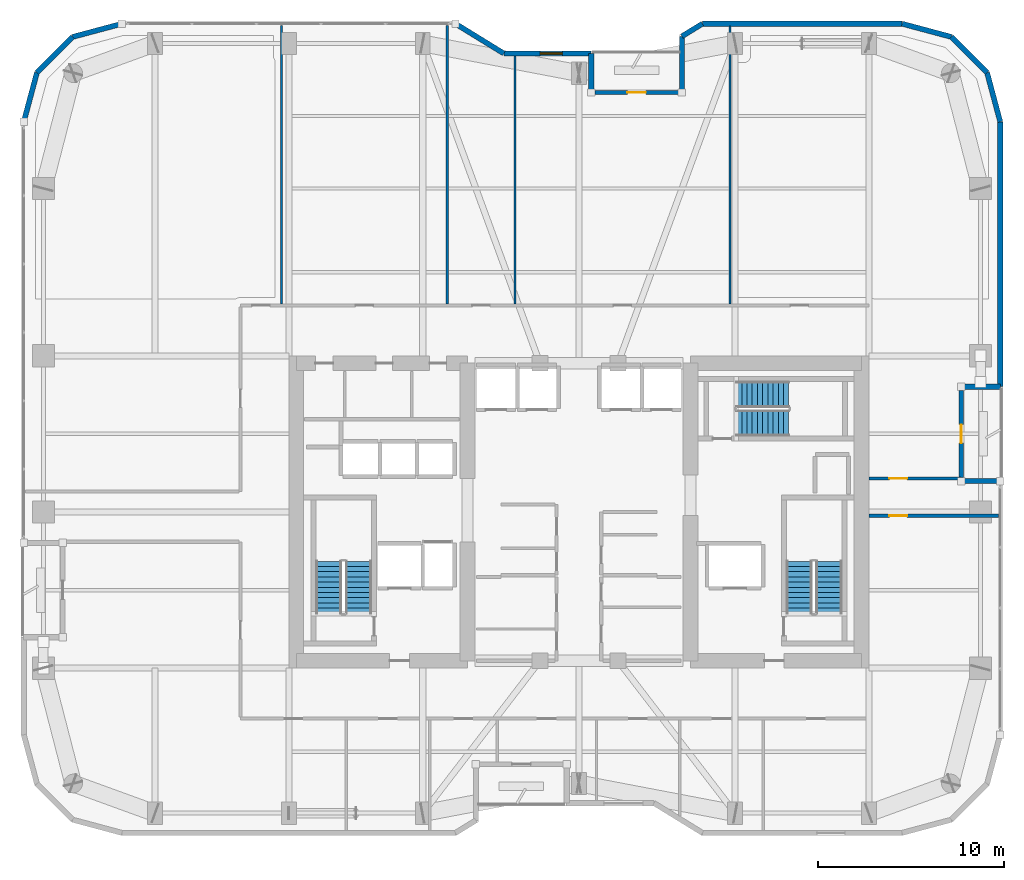
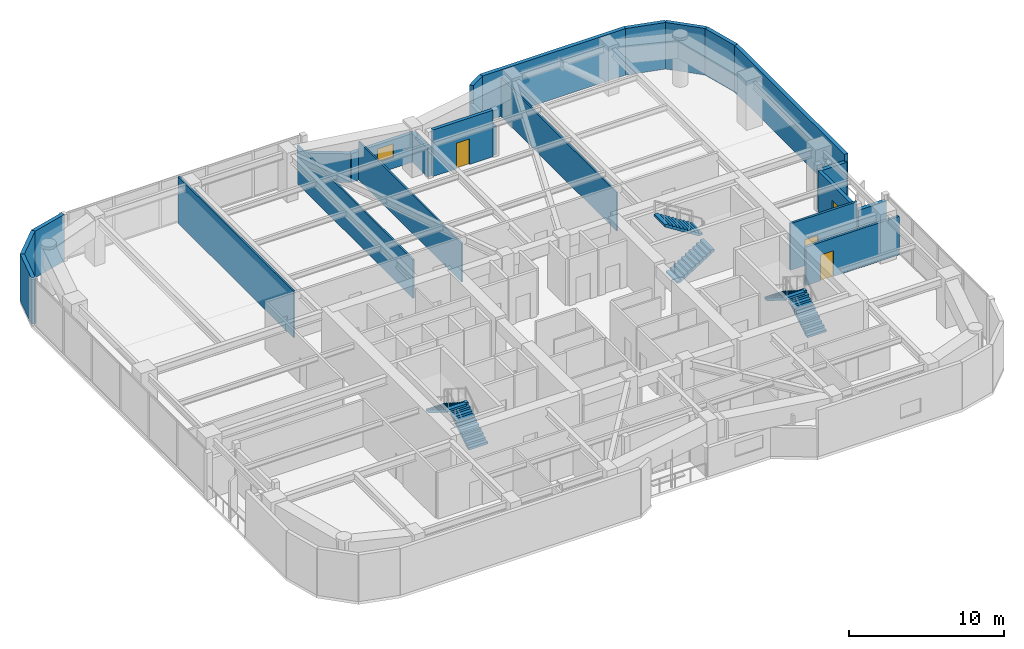
# One storey, part 27 of 30: 23 walls, 6 stair flights, 4 doors, 1 window, 5 openings, 3 elements without a shape of their own.
"""IFC4 building model written with IfcOpenShell, lengths in metres."""

from ifc_helpers import new_model, si_unit, direction, frame, frame_2d, origin, place, context, subcontext, project, spatial, polyline, rectangle, outline, extrude, material, layer, layer_set, type_object, element, fill, aggregate, save


model = new_model("IFC4")

# Units and contexts
model_context = context("Model", 3, precision=1e-05, world=origin(), true_north=direction((0.0, 1.0)))
body_context = subcontext(model_context, "Body", "Model", "MODEL_VIEW")
ifc_project = project(units=[si_unit("LENGTHUNIT", "METRE"), si_unit("AREAUNIT", "SQUARE_METRE"), si_unit("VOLUMEUNIT", "CUBIC_METRE"), si_unit("PLANEANGLEUNIT", "RADIAN"), si_unit("MASSUNIT", "GRAM", prefix="KILO")], contexts=[model_context])

# Site, building, storey
site_placement = place(None, origin())
site = spatial("IfcSite", under=ifc_project, at=site_placement, CompositionType="ELEMENT")
building_placement = place(site_placement, origin())
building = spatial("IfcBuilding", under=site, at=building_placement, Name="Kiyonajd Concourse Tower", CompositionType="ELEMENT")
storey_placement = place(building_placement, frame((0.0, 0.0, 162.300048828125)))
storey = spatial("IfcBuildingStorey", under=building, at=storey_placement, Name="L41", CompositionType="ELEMENT", Elevation=162.300048828125)

# Walls
ifc_material_1 = material(Name="Precast concrete C50/60", Category="concrete")
ifc_layer_1 = layer(ifc_material_1, 0.280029296875)
ifc_layer_set_1 = layer_set([ifc_layer_1], Name="Precast concrete C50/60")
wall_type_1 = type_object("IfcWallType", Name="WL-EXT-280", PredefinedType="SOLIDWALL", material=ifc_layer_set_1)
wall_1_placement = place(storey_placement, frame((18.139892578125, 56.981689453125, 0.0), z_axis=(0.0, 0.0, 1.0), x_axis=(0.258672222976, 0.9659651552, 0.0)))
element("IfcWall", 1, at=wall_1_placement, inside=storey, type_object=wall_type_1, Name="L41 Exterior Concrete Frame Wall 06", PredefinedType="SOLIDWALL", context=body_context, shape_type="SweptSolid", body=[
    extrude(rectangle(XDim=2.739013671875, YDim=0.280029296875, at=frame_2d((1.36962890625, 0.0))), origin(), (0.0, 0.0, 1.0), 3.679931640625),
])
wall_2_placement = place(storey_placement, frame((18.848388671875, 59.62744140625, 0.0), z_axis=(0.0, 0.0, 1.0), x_axis=(0.707106781187, 0.707106781187, 0.0)))
element("IfcWall", 2, at=wall_2_placement, inside=storey, type_object=wall_type_1, Name="L41 Exterior Concrete Frame Wall 07", PredefinedType="SOLIDWALL", context=body_context, shape_type="SweptSolid", body=[
    extrude(rectangle(XDim=2.720947265625, YDim=0.280029296875, at=frame_2d((1.3603515625, 0.0))), origin(), (0.0, 0.0, 1.0), 3.679931640625),
])
wall_3_placement = place(storey_placement, frame((20.7724609375, 61.551513671875, 0.0), z_axis=(0.0, 0.0, 1.0), x_axis=(0.965971118627, 0.258649952598, 0.0)))
element("IfcWall", 3, at=wall_3_placement, inside=storey, type_object=wall_type_1, Name="L41 Exterior Concrete Frame Wall 08", PredefinedType="SOLIDWALL", context=body_context, shape_type="SweptSolid", body=[
    extrude(rectangle(XDim=2.7392578125, YDim=0.280029296875, at=frame_2d((1.36962890625, 0.0))), origin(), (0.0, 0.0, 1.0), 3.679931640625),
])
wall_4_placement = place(storey_placement, frame((41.3603515625, 62.260009765625, 0.0), z_axis=(0.0, 0.0, 1.0), x_axis=(0.851652825334, -0.524106349037, 0.0)))
element("IfcWall", 4, at=wall_4_placement, inside=storey, type_object=wall_type_1, Name="L41 Exterior Concrete Frame Wall 10", PredefinedType="SOLIDWALL", context=body_context, shape_type="SweptSolid", body=[
    extrude(rectangle(XDim=3.052978515625, YDim=0.280029296875, at=frame_2d((1.5263671875, 0.0))), origin(), (0.0, 0.0, 1.0), 2.264892578125),
])

# Wall, opening, window
wall_5_placement = place(storey_placement, frame((43.96044921875, 60.659912109375, 0.0), z_axis=(0.0, 0.0, 1.0), x_axis=(1.0, 0.0, 0.0)))
wall_5 = element("IfcWall", 5, at=wall_5_placement, inside=storey, type_object=wall_type_1, Name="L41 Exterior Concrete Frame Wall 11", PredefinedType="SOLIDWALL", context=body_context, shape_type="SweptSolid", body=[
    extrude(rectangle(XDim=4.699462890625, YDim=0.280029296875, at=frame_2d((2.349609375, 0.0))), origin(), (0.0, 0.0, 1.0), 2.264892578125),
])
opening_1_placement = place(wall_5_placement, frame((1.955078125, 0.0, 0.85009765625)))
opening_1 = element("IfcOpeningElement", 6, at=opening_1_placement, cuts=wall_5, Name="Opening WN3", PredefinedType="OPENING", context=body_context, shape_type="SweptSolid", body=[
    extrude(rectangle(XDim=1.199951171875, YDim=1.10009765625, at=frame_2d((0.60009765625, 0.550048828125))), frame((0.0, 0.14990234375, 0.0), z_axis=(0.0, -1.0, 0.0), x_axis=(1.0, 0.0, 0.0)), (0.0, 0.0, 1.0), 0.300048828125),
])
ifc_material_2 = material(Name="Double Low-E Insulated Glass", Category="glass")
window_type = type_object("IfcWindowType", Name="WN-VIS-1200x1100", PartitioningType="SINGLE_PANEL", PredefinedType="WINDOW", material=ifc_material_2)
window_placement = place(opening_1_placement, origin())
window = element("IfcWindow", 7, at=window_placement, inside=storey, type_object=window_type, Name="L41 Modular Facade Vision Window 11", OverallHeight=1.10009765625, OverallWidth=1.199951171875, PartitioningType="SINGLE_PANEL", PredefinedType="WINDOW", context=body_context, shape_type="SweptSolid", body=[
    extrude(rectangle(XDim=1.199951171875, YDim=1.10009765625, at=frame_2d((0.60009765625, 0.550048828125))), frame((0.0, 0.030029296875, 0.0), z_axis=(0.0, -1.0, 0.0), x_axis=(1.0, 0.0, 0.0)), (0.0, 0.0, 1.0), 0.06005859375),
])
fill(opening_1, window)

# Walls
wall_6_placement = place(storey_placement, frame((48.659912109375, 60.659912109375, 0.0), z_axis=(0.0, 0.0, 1.0), x_axis=(0.0, -1.0, 0.0)))
element("IfcWall", 8, at=wall_6_placement, inside=storey, type_object=wall_type_1, Name="L41 Exterior Concrete Frame Wall 12", PredefinedType="SOLIDWALL", context=body_context, shape_type="SweptSolid", body=[
    extrude(rectangle(XDim=2.099853515625, YDim=0.280029296875, at=frame_2d((1.0498046875, 0.0))), origin(), (0.0, 0.0, 1.0), 2.264892578125),
])
wall_7_placement = place(storey_placement, frame((53.5400390625, 58.56005859375, 0.0), z_axis=(0.0, 0.0, 1.0), x_axis=(0.0, 1.0, 0.0)))
element("IfcWall", 9, at=wall_7_placement, inside=storey, type_object=wall_type_1, Name="L41 Exterior Concrete Frame Wall 14", PredefinedType="SOLIDWALL", context=body_context, shape_type="SweptSolid", body=[
    extrude(rectangle(XDim=3.023681640625, YDim=0.280029296875, at=frame_2d((1.51171875, 0.0))), origin(), (0.0, 0.0, 1.0), 2.264892578125),
])
wall_8_placement = place(storey_placement, frame((53.5400390625, 61.583740234375, 0.0), z_axis=(0.0, 0.0, 1.0), x_axis=(0.851801140441, 0.523865266212, 0.0)))
element("IfcWall", 10, at=wall_8_placement, inside=storey, type_object=wall_type_1, Name="L41 Exterior Concrete Frame Wall 15", PredefinedType="SOLIDWALL", context=body_context, shape_type="SweptSolid", body=[
    extrude(rectangle(XDim=1.291015625, YDim=0.280029296875, at=frame_2d((0.6455078125, 0.0))), origin(), (0.0, 0.0, 1.0), 3.679931640625),
])
wall_9_placement = place(storey_placement, frame((54.6396484375, 62.260009765625, 0.0), z_axis=(0.0, 0.0, 1.0), x_axis=(1.0, 0.0, 0.0)))
element("IfcWall", 11, at=wall_9_placement, inside=storey, type_object=wall_type_1, Name="L41 Exterior Concrete Frame Wall 16", PredefinedType="SOLIDWALL", context=body_context, shape_type="SweptSolid", body=[
    extrude(rectangle(XDim=10.741943359375, YDim=0.280029296875, at=frame_2d((5.37109375, 0.0))), origin(), (0.0, 0.0, 1.0), 3.679931640625),
])
wall_10_placement = place(storey_placement, frame((65.381591796875, 62.260009765625, 0.0), z_axis=(0.0, 0.0, 1.0), x_axis=(0.965971118627, -0.258649952598, 0.0)))
element("IfcWall", 12, at=wall_10_placement, inside=storey, type_object=wall_type_1, Name="L41 Exterior Concrete Frame Wall 17", PredefinedType="SOLIDWALL", context=body_context, shape_type="SweptSolid", body=[
    extrude(rectangle(XDim=2.7392578125, YDim=0.280029296875, at=frame_2d((1.36962890625, 0.0))), origin(), (0.0, 0.0, 1.0), 3.679931640625),
])
wall_11_placement = place(storey_placement, frame((68.027587890625, 61.551513671875, 0.0), z_axis=(0.0, 0.0, 1.0), x_axis=(0.707061915429, -0.707151644098, 0.0)))
element("IfcWall", 13, at=wall_11_placement, inside=storey, type_object=wall_type_1, Name="L41 Exterior Concrete Frame Wall 18", PredefinedType="SOLIDWALL", context=body_context, shape_type="SweptSolid", body=[
    extrude(rectangle(XDim=2.720947265625, YDim=0.280029296875, at=frame_2d((1.3603515625, 0.0))), origin(), (0.0, 0.0, 1.0), 3.679931640625),
])
wall_12_placement = place(storey_placement, frame((69.951416015625, 59.62744140625, 0.0), z_axis=(0.0, 0.0, 1.0), x_axis=(0.258672222976, -0.9659651552, 0.0)))
element("IfcWall", 14, at=wall_12_placement, inside=storey, type_object=wall_type_1, Name="L41 Exterior Concrete Frame Wall 19", PredefinedType="SOLIDWALL", context=body_context, shape_type="SweptSolid", body=[
    extrude(rectangle(XDim=2.739013671875, YDim=0.280029296875, at=frame_2d((1.36962890625, 0.0))), origin(), (0.0, 0.0, 1.0), 3.679931640625),
])
wall_13_placement = place(storey_placement, frame((70.659912109375, 56.981689453125, 0.0), z_axis=(0.0, 0.0, 1.0), x_axis=(0.0, -1.0, 0.0)))
element("IfcWall", 15, at=wall_13_placement, inside=storey, type_object=wall_type_1, Name="L41 Exterior Concrete Frame Wall 20", PredefinedType="SOLIDWALL", context=body_context, shape_type="SweptSolid", body=[
    extrude(rectangle(XDim=14.24169921875, YDim=0.280029296875, at=frame_2d((7.120849609375, 0.0))), origin(), (0.0, 0.0, 1.0), 3.679931640625),
])
for number, where, z_axis, x_axis, name in (
    (16, (70.659912109375, 42.739990234375, 0.0), (0.0, 0.0, 1.0), (-1.0, 0.0, 0.0), "L41 Exterior Concrete Frame Wall 21"),
    (17, (68.56005859375, 37.659912109375, 0.0), (0.0, 0.0, 1.0), (1.0, 0.0, 0.0), "L41 Exterior Concrete Frame Wall 23"),
):
    element("IfcWall", number, at=place(storey_placement, frame(where, z_axis=z_axis, x_axis=x_axis)), inside=storey, type_object=wall_type_1, Name=name, PredefinedType="SOLIDWALL", context=body_context, shape_type="SweptSolid", body=[
        extrude(rectangle(XDim=2.099853515625, YDim=0.280029296875, at=frame_2d((1.0498046875, 0.0))), origin(), (0.0, 0.0, 1.0), 3.115966796875),
    ])

# Wall, opening, door
ifc_layer_2 = layer(ifc_material_1, 0.239990234375)
ifc_layer_set_2 = layer_set([ifc_layer_2], Name="Precast concrete C50/60")
wall_type_2 = type_object("IfcWallType", Name="WL-LOG-240", PredefinedType="SOLIDWALL", material=ifc_layer_set_2)
wall_14_placement = place(storey_placement, frame((48.85498046875, 58.56005859375, 0.0), z_axis=(0.0, 0.0, 1.0), x_axis=(1.0, 0.0, 0.0)))
wall_14 = element("IfcWall", 18, at=wall_14_placement, inside=storey, type_object=wall_type_2, Name="L41 Recessed Loggia Thermal Wall LOG-N", PredefinedType="SOLIDWALL", context=body_context, shape_type="SweptSolid", body=[
    extrude(rectangle(XDim=4.489990234375, YDim=0.239990234375, at=frame_2d((2.2451171875, 0.0))), origin(), (0.0, 0.0, 1.0), 3.679931640625),
])
opening_2_placement = place(wall_14_placement, frame((1.7451171875, 0.0, 0.0)))
opening_2 = element("IfcOpeningElement", 19, at=opening_2_placement, cuts=wall_14, Name="Opening DL1", PredefinedType="OPENING", context=body_context, shape_type="SweptSolid", body=[
    extrude(rectangle(XDim=1.0, YDim=2.02001953125, at=frame_2d((0.5, 1.010009765625))), frame((0.0, 0.1298828125, 0.0), z_axis=(0.0, -1.0, 0.0), x_axis=(1.0, 0.0, 0.0)), (0.0, 0.0, 1.0), 0.260009765625),
])
ifc_material_3 = material(Name="Thermally Broken Anodised Aluminium", Category="aluminium")
door_type_1 = type_object("IfcDoorType", Name="DR-LOG-1000", OperationType="NOTDEFINED", PredefinedType="DOOR", material=ifc_material_3)
door_1_placement = place(opening_2_placement, origin())
door_1 = element("IfcDoor", 20, at=door_1_placement, inside=storey, type_object=door_type_1, Name="L41 Engawa Loggia Access Door LOG-N", OperationType="SINGLE_SWING_RIGHT", OverallHeight=2.02001953125, OverallWidth=1.0, PredefinedType="DOOR", context=body_context, shape_type="SweptSolid", body=[
    extrude(rectangle(XDim=1.0, YDim=2.02001953125, at=frame_2d((0.5, 1.010009765625))), frame((0.0, 0.02490234375, 0.0), z_axis=(0.0, -1.0, 0.0), x_axis=(1.0, 0.0, 0.0)), (0.0, 0.0, 1.0), 0.050048828125),
])
fill(opening_2, door_1)

wall_15_placement = place(storey_placement, frame((68.56005859375, 42.544921875, 0.0), z_axis=(0.0, 0.0, 1.0), x_axis=(0.0, -1.0, 0.0)))
wall_15 = element("IfcWall", 21, at=wall_15_placement, inside=storey, type_object=wall_type_2, Name="L41 Recessed Loggia Thermal Wall LOG-E", PredefinedType="SOLIDWALL", context=body_context, shape_type="SweptSolid", body=[
    extrude(rectangle(XDim=4.68994140625, YDim=0.239990234375, at=frame_2d((2.344970703125, 0.0))), origin(), (0.0, 0.0, 1.0), 3.248046875),
])
opening_3_placement = place(wall_15_placement, frame((1.844970703125, 0.0, 0.0)))
opening_3 = element("IfcOpeningElement", 22, at=opening_3_placement, cuts=wall_15, Name="Opening DL1", PredefinedType="OPENING", context=body_context, shape_type="SweptSolid", body=[
    extrude(rectangle(XDim=1.0, YDim=2.02001953125, at=frame_2d((0.5, 1.010009765625))), frame((0.0, 0.1298828125, 0.0), z_axis=(0.0, -1.0, 0.0), x_axis=(1.0, 0.0, 0.0)), (0.0, 0.0, 1.0), 0.260009765625),
])
door_2_placement = place(opening_3_placement, origin())
door_2 = element("IfcDoor", 23, at=door_2_placement, inside=storey, type_object=door_type_1, Name="L41 Engawa Loggia Access Door LOG-E", OperationType="SINGLE_SWING_LEFT", OverallHeight=2.02001953125, OverallWidth=1.0, PredefinedType="DOOR", context=body_context, shape_type="SweptSolid", body=[
    extrude(rectangle(XDim=1.0, YDim=2.02001953125, at=frame_2d((0.5, 1.010009765625))), frame((0.0, 0.02490234375, 0.0), z_axis=(0.0, -1.0, 0.0), x_axis=(1.0, 0.0, 0.0)), (0.0, 0.0, 1.0), 0.050048828125),
])
fill(opening_3, door_2)

# Walls
ifc_material_4 = material(Name="Gypsum Board on Cold-Formed Steel Stud", Category="steel")
ifc_layer_3 = layer(ifc_material_4, 0.125)
ifc_layer_set_3 = layer_set([ifc_layer_3], Name="Gypsum Board on Cold-Formed Steel Stud")
wall_type_3 = type_object("IfcWallType", Name="WL-PART-125", PredefinedType="PARTITIONING", material=ifc_layer_set_3)
wall_16_placement = place(storey_placement, frame((32.0, 47.197021484375, 0.0), z_axis=(0.0, 0.0, 1.0), x_axis=(0.0, 1.0, 0.0)))
element("IfcWall", 24, at=wall_16_placement, inside=storey, type_object=wall_type_3, Name="L41 Interior Partition Wall", PredefinedType="PARTITIONING", context=body_context, shape_type="SweptSolid", body=[
    extrude(rectangle(XDim=14.968017578125, YDim=0.125, at=frame_2d((7.48388671875, 0.0))), origin(), (0.0, 0.0, 1.0), 3.679931640625),
])
wall_17_placement = place(storey_placement, frame((40.919921875, 47.197021484375, 0.0), z_axis=(0.0, 0.0, 1.0), x_axis=(0.0, 1.0, 0.0)))
element("IfcWall", 25, at=wall_17_placement, inside=storey, type_object=wall_type_3, Name="L41 Interior Partition Wall", PredefinedType="PARTITIONING", context=body_context, shape_type="SweptSolid", body=[
    extrude(rectangle(XDim=14.968017578125, YDim=0.125, at=frame_2d((7.48388671875, 0.0))), origin(), (0.0, 0.0, 1.0), 3.04296875),
])
wall_18_placement = place(storey_placement, frame((44.56005859375, 47.197021484375, 0.0), z_axis=(0.0, 0.0, 1.0), x_axis=(0.0, 1.0, 0.0)))
element("IfcWall", 26, at=wall_18_placement, inside=storey, type_object=wall_type_3, Name="L41 Interior Partition Wall", PredefinedType="PARTITIONING", context=body_context, shape_type="SweptSolid", body=[
    extrude(rectangle(XDim=13.327880859375, YDim=0.125, at=frame_2d((6.6640625, 0.0))), origin(), (0.0, 0.0, 1.0), 3.04296875),
])
wall_19_placement = place(storey_placement, frame((56.1201171875, 47.197021484375, 0.0), z_axis=(0.0, 0.0, 1.0), x_axis=(0.0, 1.0, 0.0)))
element("IfcWall", 27, at=wall_19_placement, inside=storey, type_object=wall_type_3, Name="L41 Interior Partition Wall", PredefinedType="PARTITIONING", context=body_context, shape_type="SweptSolid", body=[
    extrude(rectangle(XDim=14.927978515625, YDim=0.125, at=frame_2d((7.4638671875, 0.0))), origin(), (0.0, 0.0, 1.0), 3.04296875),
])

# Wall, opening, door
ifc_layer_4 = layer(ifc_material_4, 0.169921875)
ifc_layer_set_4 = layer_set([ifc_layer_4], Name="Gypsum Board on Cold-Formed Steel Stud")
wall_type_4 = type_object("IfcWallType", Name="WL-SMK-170", PredefinedType="PARTITIONING", material=ifc_layer_set_4)
wall_20_placement = place(storey_placement, frame((63.60009765625, 35.800048828125, 0.0), z_axis=(0.0, 0.0, 1.0), x_axis=(1.0, 0.0, 0.0)))
wall_20 = element("IfcWall", 28, at=wall_20_placement, inside=storey, type_object=wall_type_4, Name="L41 Interior Partition Wall", PredefinedType="PARTITIONING", context=body_context, shape_type="SweptSolid", body=[
    extrude(rectangle(XDim=6.974853515625, YDim=0.169921875, at=frame_2d((3.4873046875, 0.0))), origin(), (0.0, 0.0, 1.0), 3.04296875),
])
opening_4_placement = place(wall_20_placement, frame((1.10009765625, 0.0, 0.0)))
opening_4 = element("IfcOpeningElement", 29, at=opening_4_placement, cuts=wall_20, Name="Opening DI1", PredefinedType="OPENING", context=body_context, shape_type="SweptSolid", body=[
    extrude(rectangle(XDim=0.949951171875, YDim=2.0400390625, at=frame_2d((0.47509765625, 1.02001953125))), frame((0.0, 0.094970703125, 0.0), z_axis=(0.0, -1.0, 0.0), x_axis=(1.0, 0.0, 0.0)), (0.0, 0.0, 1.0), 0.18994140625),
])
ifc_material_5 = material(Name="Natural Oak Acoustic Timber Veneer", Category="wood")
door_type_2 = type_object("IfcDoorType", Name="DR-INT-950", OperationType="NOTDEFINED", PredefinedType="DOOR", material=ifc_material_5)
door_3_placement = place(opening_4_placement, origin())
door_3 = element("IfcDoor", 30, at=door_3_placement, inside=storey, type_object=door_type_2, Name="L41 Interior Door", OperationType="SINGLE_SWING_RIGHT", OverallHeight=2.0400390625, OverallWidth=0.949951171875, PredefinedType="DOOR", context=body_context, shape_type="SweptSolid", body=[
    extrude(rectangle(XDim=0.949951171875, YDim=2.0400390625, at=frame_2d((0.47509765625, 1.02001953125))), frame((0.0, 0.02490234375, 0.0), z_axis=(0.0, -1.0, 0.0), x_axis=(1.0, 0.0, 0.0)), (0.0, 0.0, 1.0), 0.050048828125),
])
fill(opening_4, door_3)

wall_21_placement = place(storey_placement, frame((63.60009765625, 37.800048828125, 0.0), z_axis=(0.0, 0.0, 1.0), x_axis=(1.0, 0.0, 0.0)))
wall_21 = element("IfcWall", 31, at=wall_21_placement, inside=storey, type_object=wall_type_4, Name="L41 Interior Partition Wall", PredefinedType="PARTITIONING", context=body_context, shape_type="SweptSolid", body=[
    extrude(rectangle(XDim=4.9599609375, YDim=0.169921875, at=frame_2d((2.47998046875, 0.0))), origin(), (0.0, 0.0, 1.0), 3.679931640625),
])
opening_5_placement = place(wall_21_placement, frame((1.10009765625, 0.0, 0.0)))
opening_5 = element("IfcOpeningElement", 32, at=opening_5_placement, cuts=wall_21, Name="Opening DI1", PredefinedType="OPENING", context=body_context, shape_type="SweptSolid", body=[
    extrude(rectangle(XDim=0.949951171875, YDim=2.0400390625, at=frame_2d((0.47509765625, 1.02001953125))), frame((0.0, 0.094970703125, 0.0), z_axis=(0.0, -1.0, 0.0), x_axis=(1.0, 0.0, 0.0)), (0.0, 0.0, 1.0), 0.18994140625),
])
door_4_placement = place(opening_5_placement, origin())
door_4 = element("IfcDoor", 33, at=door_4_placement, inside=storey, type_object=door_type_2, Name="L41 Interior Door", OperationType="SINGLE_SWING_LEFT", OverallHeight=2.0400390625, OverallWidth=0.949951171875, PredefinedType="DOOR", context=body_context, shape_type="SweptSolid", body=[
    extrude(rectangle(XDim=0.949951171875, YDim=2.0400390625, at=frame_2d((0.47509765625, 1.02001953125))), frame((0.0, 0.02490234375, 0.0), z_axis=(0.0, -1.0, 0.0), x_axis=(1.0, 0.0, 0.0)), (0.0, 0.0, 1.0), 0.050048828125),
])
fill(opening_5, door_4)

# Stair, stair flights
ifc_material_6 = material(Name="Concrete C40/50", Category="concrete")
stair_type = type_object("IfcStairType", Name="ST-DLG-22R", PredefinedType="HALF_TURN_STAIR", material=ifc_material_6)
stair_1_placement = place(storey_placement, origin())
stair_1 = element("IfcStair", 34, at=stair_1_placement, inside=storey, type_object=stair_type, Name="L41 Protected Exit Stair ST1", PredefinedType="HALF_TURN_STAIR")
stair_flight_type = type_object("IfcStairFlightType", Name="SF-STR-22R", PredefinedType="STRAIGHT", material=ifc_material_6)
stair_flight_1_placement = place(storey_placement, frame((36.14990234375, 30.550048828125, 0.0), z_axis=(0.0, 0.0, 1.0), x_axis=(0.0, 1.0, 0.0)))
stair_flight_1 = element("IfcStairFlight", 35, at=stair_flight_1_placement, type_object=stair_flight_type, Name="ST1 flight 1", NumberOfRisers=11, NumberOfTreads=10, PredefinedType="STRAIGHT", RiserHeight=0.177272727, TreadLength=0.28, context=body_context, shape_type="SweptSolid", body=[
    extrude(outline(polyline([(0.0, 0.0), (0.0, 0.17724609375), (0.280029296875, 0.17724609375), (0.280029296875, 0.3544921875), (0.56005859375, 0.3544921875), (0.56005859375, 0.53173828125), (0.840087890625, 0.53173828125), (0.840087890625, 0.708984375), (1.1201171875, 0.708984375), (1.1201171875, 0.886474609375), (1.39990234375, 0.886474609375), (1.39990234375, 1.063720703125), (1.679931640625, 1.063720703125), (1.679931640625, 1.240966796875), (1.9599609375, 1.240966796875), (1.9599609375, 1.418212890625), (2.239990234375, 1.418212890625), (2.239990234375, 1.595458984375), (2.52001953125, 1.595458984375), (2.52001953125, 1.772705078125), (2.800048828125, 1.772705078125), (2.800048828125, 1.949951171875), (2.800048828125, 1.59521484375), (0.2802734375, 0.0), (0.0, 0.0)])), frame((0.0, 0.699951171875, 0.0), z_axis=(0.0, -1.0, 0.0), x_axis=(1.0, 0.0, 0.0)), (0.0, 0.0, 1.0), 1.39990234375),
])
stair_flight_2_placement = place(storey_placement, frame((34.550048828125, 33.35009765625, 1.949951171875), z_axis=(0.0, 0.0, 1.0), x_axis=(0.0, -1.0, 0.0)))
stair_flight_2 = element("IfcStairFlight", 36, at=stair_flight_2_placement, type_object=stair_flight_type, Name="ST1 flight 2", NumberOfRisers=11, NumberOfTreads=10, PredefinedType="STRAIGHT", RiserHeight=0.177272727, TreadLength=0.28, context=body_context, shape_type="SweptSolid", body=[
    extrude(outline(polyline([(0.0, 0.0), (0.0, 0.17724609375), (0.280029296875, 0.17724609375), (0.280029296875, 0.3544921875), (0.56005859375, 0.3544921875), (0.56005859375, 0.53173828125), (0.840087890625, 0.53173828125), (0.840087890625, 0.708984375), (1.1201171875, 0.708984375), (1.1201171875, 0.886474609375), (1.39990234375, 0.886474609375), (1.39990234375, 1.063720703125), (1.679931640625, 1.063720703125), (1.679931640625, 1.240966796875), (1.9599609375, 1.240966796875), (1.9599609375, 1.418212890625), (2.239990234375, 1.418212890625), (2.239990234375, 1.595458984375), (2.52001953125, 1.595458984375), (2.52001953125, 1.772705078125), (2.800048828125, 1.772705078125), (2.800048828125, 1.949951171875), (2.800048828125, 1.59521484375), (0.2802734375, 0.0), (0.0, 0.0)])), frame((0.0, 0.699951171875, 0.0), z_axis=(0.0, -1.0, 0.0), x_axis=(1.0, 0.0, 0.0)), (0.0, 0.0, 1.0), 1.39990234375),
])
aggregate(stair_1, [stair_flight_1, stair_flight_2])

stair_2_placement = place(storey_placement, origin())
stair_2 = element("IfcStair", 37, at=stair_2_placement, inside=storey, type_object=stair_type, Name="L41 Protected Exit Stair ST2", PredefinedType="HALF_TURN_STAIR")
stair_flight_3_placement = place(storey_placement, frame((61.449951171875, 30.550048828125, 0.0), z_axis=(0.0, 0.0, 1.0), x_axis=(0.0, 1.0, 0.0)))
stair_flight_3 = element("IfcStairFlight", 38, at=stair_flight_3_placement, type_object=stair_flight_type, Name="ST2 flight 1", NumberOfRisers=11, NumberOfTreads=10, PredefinedType="STRAIGHT", RiserHeight=0.177272727, TreadLength=0.28, context=body_context, shape_type="SweptSolid", body=[
    extrude(outline(polyline([(0.0, 0.0), (0.0, 0.17724609375), (0.280029296875, 0.17724609375), (0.280029296875, 0.3544921875), (0.56005859375, 0.3544921875), (0.56005859375, 0.53173828125), (0.840087890625, 0.53173828125), (0.840087890625, 0.708984375), (1.1201171875, 0.708984375), (1.1201171875, 0.886474609375), (1.39990234375, 0.886474609375), (1.39990234375, 1.063720703125), (1.679931640625, 1.063720703125), (1.679931640625, 1.240966796875), (1.9599609375, 1.240966796875), (1.9599609375, 1.418212890625), (2.239990234375, 1.418212890625), (2.239990234375, 1.595458984375), (2.52001953125, 1.595458984375), (2.52001953125, 1.772705078125), (2.800048828125, 1.772705078125), (2.800048828125, 1.949951171875), (2.800048828125, 1.59521484375), (0.2802734375, 0.0), (0.0, 0.0)])), frame((0.0, 0.699951171875, 0.0), z_axis=(0.0, -1.0, 0.0), x_axis=(1.0, 0.0, 0.0)), (0.0, 0.0, 1.0), 1.39990234375),
])
stair_flight_4_placement = place(storey_placement, frame((59.85009765625, 33.35009765625, 1.949951171875), z_axis=(0.0, 0.0, 1.0), x_axis=(0.0, -1.0, 0.0)))
stair_flight_4 = element("IfcStairFlight", 39, at=stair_flight_4_placement, type_object=stair_flight_type, Name="ST2 flight 2", NumberOfRisers=11, NumberOfTreads=10, PredefinedType="STRAIGHT", RiserHeight=0.177272727, TreadLength=0.28, context=body_context, shape_type="SweptSolid", body=[
    extrude(outline(polyline([(0.0, 0.0), (0.0, 0.17724609375), (0.280029296875, 0.17724609375), (0.280029296875, 0.3544921875), (0.56005859375, 0.3544921875), (0.56005859375, 0.53173828125), (0.840087890625, 0.53173828125), (0.840087890625, 0.708984375), (1.1201171875, 0.708984375), (1.1201171875, 0.886474609375), (1.39990234375, 0.886474609375), (1.39990234375, 1.063720703125), (1.679931640625, 1.063720703125), (1.679931640625, 1.240966796875), (1.9599609375, 1.240966796875), (1.9599609375, 1.418212890625), (2.239990234375, 1.418212890625), (2.239990234375, 1.595458984375), (2.52001953125, 1.595458984375), (2.52001953125, 1.772705078125), (2.800048828125, 1.772705078125), (2.800048828125, 1.949951171875), (2.800048828125, 1.59521484375), (0.2802734375, 0.0), (0.0, 0.0)])), frame((0.0, 0.699951171875, 0.0), z_axis=(0.0, -1.0, 0.0), x_axis=(1.0, 0.0, 0.0)), (0.0, 0.0, 1.0), 1.39990234375),
])
aggregate(stair_2, [stair_flight_3, stair_flight_4])

stair_3_placement = place(storey_placement, origin())
stair_3 = element("IfcStair", 40, at=stair_3_placement, inside=storey, type_object=stair_type, Name="L41 Protected Exit Stair ST3", PredefinedType="HALF_TURN_STAIR")
stair_flight_5_placement = place(storey_placement, frame((56.47998046875, 40.780029296875, 0.0), z_axis=(0.0, 0.0, 1.0), x_axis=(1.0, 0.0, 0.0)))
stair_flight_5 = element("IfcStairFlight", 41, at=stair_flight_5_placement, type_object=stair_flight_type, Name="ST3 flight 1", NumberOfRisers=11, NumberOfTreads=10, PredefinedType="STRAIGHT", RiserHeight=0.177272727, TreadLength=0.28, context=body_context, shape_type="SweptSolid", body=[
    extrude(outline(polyline([(0.0, 0.0), (0.0, 0.17724609375), (0.280029296875, 0.17724609375), (0.280029296875, 0.3544921875), (0.56005859375, 0.3544921875), (0.56005859375, 0.53173828125), (0.840087890625, 0.53173828125), (0.840087890625, 0.708984375), (1.1201171875, 0.708984375), (1.1201171875, 0.886474609375), (1.39990234375, 0.886474609375), (1.39990234375, 1.063720703125), (1.679931640625, 1.063720703125), (1.679931640625, 1.240966796875), (1.9599609375, 1.240966796875), (1.9599609375, 1.418212890625), (2.239990234375, 1.418212890625), (2.239990234375, 1.595458984375), (2.52001953125, 1.595458984375), (2.52001953125, 1.772705078125), (2.800048828125, 1.772705078125), (2.800048828125, 1.949951171875), (2.800048828125, 1.59521484375), (0.2802734375, 0.0), (0.0, 0.0)])), frame((0.0, 0.699951171875, 0.0), z_axis=(0.0, -1.0, 0.0), x_axis=(1.0, 0.0, 0.0)), (0.0, 0.0, 1.0), 1.39990234375),
])
stair_flight_6_placement = place(storey_placement, frame((59.280029296875, 42.320068359375, 1.949951171875), z_axis=(0.0, 0.0, 1.0), x_axis=(-1.0, 0.0, 0.0)))
stair_flight_6 = element("IfcStairFlight", 42, at=stair_flight_6_placement, type_object=stair_flight_type, Name="ST3 flight 2", NumberOfRisers=11, NumberOfTreads=10, PredefinedType="STRAIGHT", RiserHeight=0.177272727, TreadLength=0.28, context=body_context, shape_type="SweptSolid", body=[
    extrude(outline(polyline([(0.0, 0.0), (0.0, 0.17724609375), (0.280029296875, 0.17724609375), (0.280029296875, 0.3544921875), (0.56005859375, 0.3544921875), (0.56005859375, 0.53173828125), (0.840087890625, 0.53173828125), (0.840087890625, 0.708984375), (1.1201171875, 0.708984375), (1.1201171875, 0.886474609375), (1.39990234375, 0.886474609375), (1.39990234375, 1.063720703125), (1.679931640625, 1.063720703125), (1.679931640625, 1.240966796875), (1.9599609375, 1.240966796875), (1.9599609375, 1.418212890625), (2.239990234375, 1.418212890625), (2.239990234375, 1.595458984375), (2.52001953125, 1.595458984375), (2.52001953125, 1.772705078125), (2.800048828125, 1.772705078125), (2.800048828125, 1.949951171875), (2.800048828125, 1.59521484375), (0.2802734375, 0.0), (0.0, 0.0)])), frame((0.0, 0.699951171875, 0.0), z_axis=(0.0, -1.0, 0.0), x_axis=(1.0, 0.0, 0.0)), (0.0, 0.0, 1.0), 1.39990234375),
])
aggregate(stair_3, [stair_flight_5, stair_flight_6])

save(model, "model.ifc")
